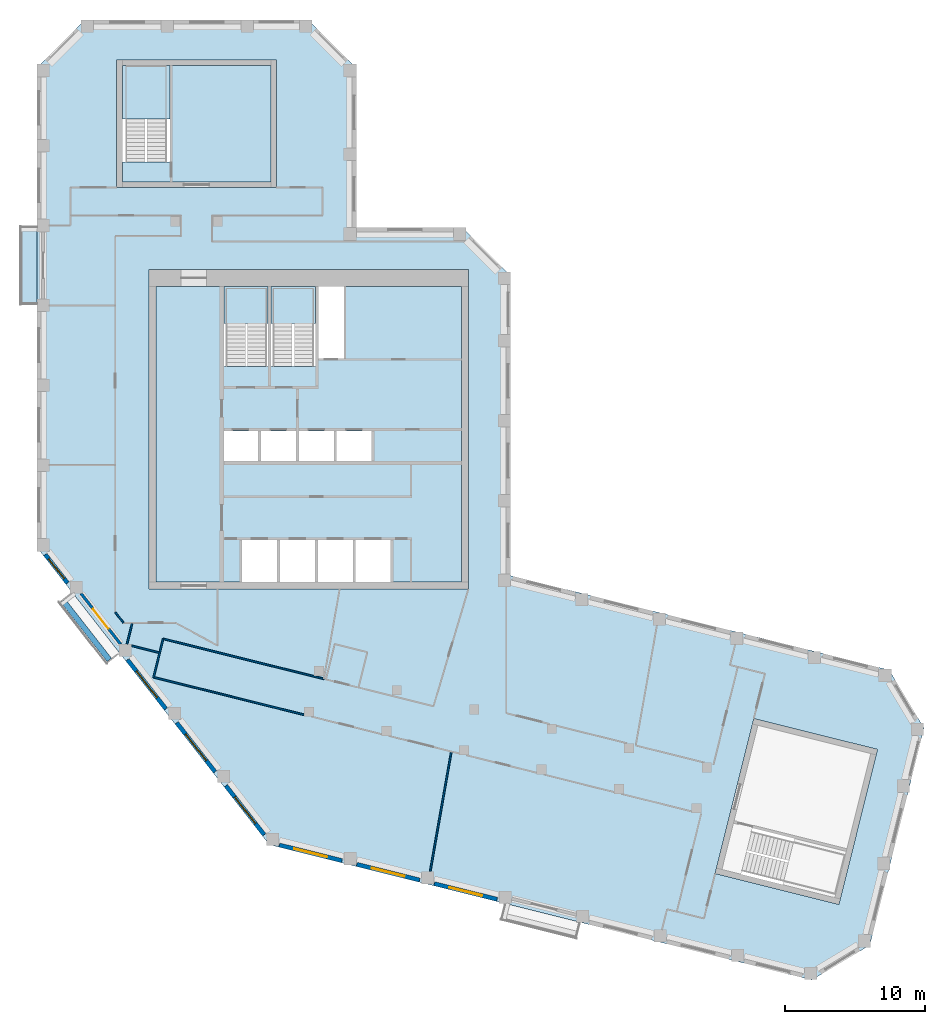
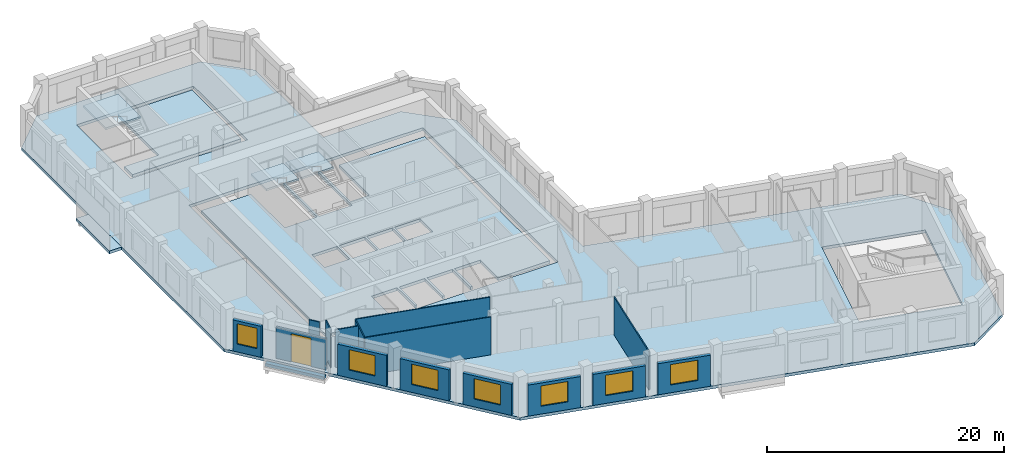
# One storey, part 2 of 8: 16 walls, 7 slabs, 7 windows, 1 door, 8 openings, 3 elements without a shape of their own.
"""IFC4 building model written with IfcOpenShell, lengths in metres."""

from ifc_helpers import new_model, si_unit, direction, frame, frame_2d, origin, place, context, subcontext, project, spatial, polyline, rectangle, outline, extrude, material, layer, layer_set, type_object, element, fill, aggregate, save


model = new_model("IFC4")

# Units and contexts
model_context = context("Model", 3, precision=1e-05, world=origin(), true_north=direction((0.0, 1.0)))
body_context = subcontext(model_context, "Body", "Model", "MODEL_VIEW")
ifc_project = project(units=[si_unit("LENGTHUNIT", "METRE"), si_unit("AREAUNIT", "SQUARE_METRE"), si_unit("VOLUMEUNIT", "CUBIC_METRE"), si_unit("PLANEANGLEUNIT", "RADIAN"), si_unit("MASSUNIT", "GRAM", prefix="KILO")], contexts=[model_context])

# Site, building, storey
site_placement = place(None, origin())
site = spatial("IfcSite", under=ifc_project, at=site_placement, CompositionType="ELEMENT")
building_placement = place(site_placement, origin())
building = spatial("IfcBuilding", under=site, at=building_placement, Name="Meshkara Civic Tower", CompositionType="ELEMENT")
storey_placement = place(building_placement, frame((0.0, 0.0, 379.199951171875)))
storey = spatial("IfcBuildingStorey", under=building, at=storey_placement, Name="L87", CompositionType="ELEMENT", Elevation=379.199951171875)

# Slabs
ifc_material_1 = material(Name="Concrete C40", Category="concrete")
ifc_layer_1 = layer(ifc_material_1, 0.300048828125)
ifc_layer_set_1 = layer_set([ifc_layer_1], Name="BALCONY SLAB")
slab_type_1 = type_object("IfcSlabType", Name="BALCONY SLAB", PredefinedType="FLOOR", material=ifc_layer_set_1)
slab_1_placement = place(storey_placement, frame((0.0, 0.0, -0.300048828125)))
element("IfcSlab", 1, at=slab_1_placement, inside=storey, type_object=slab_type_1, Name="Balcony slab", PredefinedType="FLOOR", context=body_context, shape_type="SweptSolid", body=[
    extrude(outline(polyline([(0.0, 34.804931640625), (0.0, 34.4150390625), (-1.199951171875, 34.4150390625), (-1.199951171875, 39.9951171875), (0.0, 39.9951171875), (0.0, 39.60498046875), (0.0, 34.804931640625)])), origin(), (0.0, 0.0, 1.0), 0.300048828125),
])
ifc_material_2 = material(Name="Concrete C40/50", Category="concrete")
ifc_layer_2 = layer(ifc_material_2, 0.300048828125)
ifc_layer_set_2 = layer_set([ifc_layer_2], Name="Core floor slab 300 C40/50")
slab_type_2 = type_object("IfcSlabType", Name="Core floor slab 300 C40/50", PredefinedType="FLOOR", material=ifc_layer_set_2)
slab_2_placement = place(storey_placement, frame((0.0, 0.0, -0.300048828125)))
element("IfcSlab", 2, at=slab_2_placement, inside=storey, type_object=slab_type_2, Name="Core floor K", PredefinedType="FLOOR", context=body_context, shape_type="SweptSolid", body=[
    extrude(outline(polyline([(8.5, 35.699951171875), (13.35009765625, 35.699951171875), (13.35009765625, 30.00146484375), (16.5, 30.00146484375), (16.5, 35.699951171875), (16.699951171875, 35.699951171875), (16.699951171875, 30.00146484375), (19.89990234375, 30.00146484375), (19.89990234375, 35.699951171875), (20.10009765625, 35.699951171875), (20.10009765625, 30.574951171875), (21.925048828125, 30.574951171875), (21.925048828125, 35.699951171875), (30.300048828125, 35.699951171875), (30.300048828125, 14.60009765625), (25.25, 14.60009765625), (25.25, 17.60009765625), (22.75, 17.60009765625), (22.75, 14.60009765625), (22.550048828125, 14.60009765625), (22.550048828125, 17.60009765625), (20.050048828125, 17.60009765625), (20.050048828125, 14.60009765625), (19.85009765625, 14.60009765625), (19.85009765625, 17.60009765625), (17.35009765625, 17.60009765625), (17.35009765625, 14.60009765625), (17.14990234375, 14.60009765625), (17.14990234375, 17.60009765625), (14.64990234375, 17.60009765625), (14.64990234375, 14.60009765625), (8.5, 14.60009765625), (8.5, 35.699951171875)]), holes=[polyline([(13.35009765625, 23.25), (15.800048828125, 23.25), (15.800048828125, 25.39990234375), (13.35009765625, 25.39990234375), (13.35009765625, 23.25)]), polyline([(18.5, 23.25), (18.5, 25.39990234375), (16.0, 25.39990234375), (16.0, 23.25), (18.5, 23.25)]), polyline([(18.699951171875, 23.25), (21.199951171875, 23.25), (21.199951171875, 25.39990234375), (18.699951171875, 25.39990234375), (18.699951171875, 23.25)]), polyline([(23.89990234375, 23.25), (23.89990234375, 25.39990234375), (21.39990234375, 25.39990234375), (21.39990234375, 23.25), (23.89990234375, 23.25)])]), origin(), (0.0, 0.0, 1.0), 0.300048828125),
])
slab_3_placement = place(storey_placement, frame((0.0, 0.0, -0.300048828125)))
element("IfcSlab", 3, at=slab_3_placement, inside=storey, type_object=slab_type_2, Name="Core floor EA", PredefinedType="FLOOR", context=body_context, shape_type="SweptSolid", body=[
    extrude(outline(polyline([(16.699951171875, 43.169921875), (16.699951171875, 51.469970703125), (9.5, 51.469970703125), (9.5, 44.571533203125), (6.10009765625, 44.571533203125), (6.10009765625, 43.169921875), (16.699951171875, 43.169921875)])), origin(), (0.0, 0.0, 1.0), 0.300048828125),
])

# Stair, slab
ifc_material_3 = material(Name="Precast concrete C40/50", Category="concrete")
stair_type = type_object("IfcStairType", Name="Exit stair half-turn 24 risers precast", PredefinedType="HALF_TURN_STAIR", material=ifc_material_3)
stair_1_placement = place(storey_placement, origin())
stair_1 = element("IfcStair", 4, at=stair_1_placement, inside=storey, type_object=stair_type, Name="L87 exit stair 1", PredefinedType="HALF_TURN_STAIR")
ifc_material_4 = material(Name="Precast concrete C40/50", Category="concrete")
ifc_layer_3 = layer(ifc_material_4, 0.199951171875)
ifc_layer_set_3 = layer_set([ifc_layer_3], Name="Exit stair landing 200")
slab_type_3 = type_object("IfcSlabType", Name="Exit stair landing 200", PredefinedType="LANDING", material=ifc_layer_set_3)
slab_4_placement = place(storey_placement, frame((0.0, 0.0, 1.900146484375)))
slab_4 = element("IfcSlab", 5, at=slab_4_placement, type_object=slab_type_3, Name="ST1 landing 1", PredefinedType="LANDING", context=body_context, shape_type="SweptSolid", body=[
    extrude(outline(polyline([(16.5, 33.07861328125), (16.5, 35.699951171875), (13.35009765625, 35.699951171875), (13.35009765625, 33.07861328125), (16.5, 33.07861328125)])), origin(), (0.0, 0.0, 1.0), 0.199951171875),
])
aggregate(stair_1, [slab_4])

stair_2_placement = place(storey_placement, origin())
stair_2 = element("IfcStair", 6, at=stair_2_placement, inside=storey, type_object=stair_type, Name="L87 exit stair 2", PredefinedType="HALF_TURN_STAIR")
slab_5_placement = place(storey_placement, frame((0.0, 0.0, 1.900146484375)))
slab_5 = element("IfcSlab", 7, at=slab_5_placement, type_object=slab_type_3, Name="ST2 landing 1", PredefinedType="LANDING", context=body_context, shape_type="SweptSolid", body=[
    extrude(outline(polyline([(19.89990234375, 33.07861328125), (19.89990234375, 35.699951171875), (16.699951171875, 35.699951171875), (16.699951171875, 33.07861328125), (19.89990234375, 33.07861328125)])), origin(), (0.0, 0.0, 1.0), 0.199951171875),
])
aggregate(stair_2, [slab_5])

stair_3_placement = place(storey_placement, origin())
stair_3 = element("IfcStair", 8, at=stair_3_placement, inside=storey, type_object=stair_type, Name="L87 exit stair A from L80", PredefinedType="HALF_TURN_STAIR")
slab_6_placement = place(storey_placement, frame((0.0, 0.0, 1.900146484375)))
slab_6 = element("IfcSlab", 9, at=slab_6_placement, type_object=slab_type_3, Name="ESA6 landing 1", PredefinedType="LANDING", context=body_context, shape_type="SweptSolid", body=[
    extrude(outline(polyline([(9.5, 47.6484375), (9.5, 51.469970703125), (6.10009765625, 51.469970703125), (6.10009765625, 47.6484375), (9.5, 47.6484375)])), origin(), (0.0, 0.0, 1.0), 0.199951171875),
])
aggregate(stair_3, [slab_6])

# Slab
ifc_material_5 = material(Name="Concrete C50", Category="concrete")
ifc_layer_4 = layer(ifc_material_5, 0.300048828125)
ifc_layer_set_4 = layer_set([ifc_layer_4], Name="Post-tensioned flat slab 300 C50")
slab_type_4 = type_object("IfcSlabType", Name="Post-tensioned flat slab 300 C50", PredefinedType="FLOOR", material=ifc_layer_set_4)
slab_7_placement = place(storey_placement, frame((0.0, 0.0, -0.300048828125)))
element("IfcSlab", 10, at=slab_7_placement, inside=storey, type_object=slab_type_4, Name="Post-tensioned flat slab L87", PredefinedType="FLOOR", context=body_context, shape_type="SweptSolid", body=[
    extrude(outline(polyline([(59.452880859375, -11.299072265625), (55.306884765625, -13.7900390625), (16.592041015625, -4.136962890625), (0.0, 17.10009765625), (0.0, 51.300048828125), (3.419921875, 54.719970703125), (19.3798828125, 54.719970703125), (22.800048828125, 51.300048828125), (22.800048828125, 39.89990234375), (30.3798828125, 39.89990234375), (33.800048828125, 36.47998046875), (33.800048828125, 15.071044921875), (60.822998046875, 8.3330078125), (63.31396484375, 4.18701171875), (59.452880859375, -11.299072265625)]), holes=[polyline([(57.239013671875, -8.39697265625), (59.9970703125, 2.6650390625), (51.1669921875, 4.865966796875), (48.408935546875, -6.195068359375), (57.239013671875, -8.39697265625)]), polyline([(8.0, 14.10009765625), (30.800048828125, 14.10009765625), (30.800048828125, 36.89990234375), (8.0, 36.89990234375), (8.0, 14.10009765625)]), polyline([(5.699951171875, 51.8701171875), (5.699951171875, 42.77001953125), (17.10009765625, 42.77001953125), (17.10009765625, 51.8701171875), (5.699951171875, 51.8701171875)])]), origin(), (0.0, 0.0, 1.0), 0.300048828125),
])

# Walls
ifc_material_6 = material(Name="Corridor wall 100")
ifc_layer_5 = layer(ifc_material_6, 0.10009765625)
ifc_layer_set_5 = layer_set([ifc_layer_5], Name="Corridor wall 100")
wall_type_1 = type_object("IfcWallType", Name="Corridor wall 100", PredefinedType="PARTITIONING", material=ifc_layer_set_5)
wall_1_placement = place(storey_placement, frame((5.60009765625, 12.449951171875, 0.0), z_axis=(0.0, 0.0, 1.0), x_axis=(0.615644041972, -0.788024373725, 0.0)))
element("IfcWall", 11, at=wall_1_placement, inside=storey, type_object=wall_type_1, Name="L87-W003", PredefinedType="PARTITIONING", context=body_context, shape_type="SweptSolid", body=[
    extrude(rectangle(XDim=0.95166015625, YDim=0.10009765625, at=frame_2d((0.475830078125, 0.0))), origin(), (0.0, 0.0, 1.0), 3.900146484375),
])
wall_2_placement = place(storey_placement, frame((8.333984375, 7.81494140625, 0.0), z_axis=(0.0, 0.0, 1.0), x_axis=(0.970312231044, -0.241855688968, 0.0)))
element("IfcWall", 12, at=wall_2_placement, inside=storey, type_object=wall_type_1, Name="L87-W007", PredefinedType="PARTITIONING", context=body_context, shape_type="SweptSolid", body=[
    extrude(rectangle(XDim=11.068603515625, YDim=0.10009765625, at=frame_2d((5.5341796875, 0.0))), origin(), (0.0, 0.0, 1.0), 3.900146484375),
])
wall_3_placement = place(storey_placement, frame((9.01708984375, 10.55810546875, 0.0), z_axis=(0.0, 0.0, 1.0), x_axis=(-0.241641419317, -0.970365613813, 0.0)))
element("IfcWall", 13, at=wall_3_placement, inside=storey, type_object=wall_type_1, Name="L87-W008", PredefinedType="PARTITIONING", context=body_context, shape_type="SweptSolid", body=[
    extrude(rectangle(XDim=2.826904296875, YDim=0.10009765625, at=frame_2d((1.41357421875, 0.0))), origin(), (0.0, 0.0, 1.0), 3.900146484375),
])
wall_4_placement = place(storey_placement, frame((20.48291015625, 7.698974609375, 0.0), z_axis=(0.0, 0.0, 1.0), x_axis=(-0.970288161847, 0.241952232846, 0.0)))
element("IfcWall", 14, at=wall_4_placement, inside=storey, type_object=wall_type_1, Name="L87-W018", PredefinedType="PARTITIONING", context=body_context, shape_type="SweptSolid", body=[
    extrude(rectangle(XDim=11.81689453125, YDim=0.10009765625, at=frame_2d((5.908447265625, 0.0))), origin(), (0.0, 0.0, 1.0), 3.900146484375),
])

# Wall, opening, window
ifc_material_7 = material(Name="Insulated infill panel with bronze anodised aluminium cladding", Category="aluminium")
ifc_layer_6 = layer(ifc_material_7, 0.300048828125)
ifc_layer_set_6 = layer_set([ifc_layer_6], Name="EXTERNAL INFILL WALL 300")
wall_type_2 = type_object("IfcWallType", Name="EXTERNAL INFILL WALL 300", PredefinedType="SOLIDWALL", material=ifc_layer_set_6)
wall_5_placement = place(storey_placement, frame((0.60205078125, 16.572998046875, 0.0), z_axis=(0.0, 0.0, 1.0), x_axis=(0.61568999437, -0.787988471256, 0.0)))
wall_5 = element("IfcWall", 15, at=wall_5_placement, inside=storey, type_object=wall_type_2, Name="External wall", PredefinedType="SOLIDWALL", context=body_context, shape_type="SweptSolid", body=[
    extrude(rectangle(XDim=2.577392578125, YDim=0.300048828125, at=frame_2d((1.28857421875, 0.0))), origin(), (0.0, 0.0, 1.0), 3.199951171875),
])
opening_1_placement = place(wall_5_placement, frame((0.387939453125, 0.0, 0.800048828125)))
opening_1 = element("IfcOpeningElement", 16, at=opening_1_placement, cuts=wall_5, Name="Opening W9", PredefinedType="OPENING", context=body_context, shape_type="SweptSolid", body=[
    extrude(rectangle(XDim=1.800048828125, YDim=2.10009765625, at=frame_2d((0.89990234375, 1.050048828125))), frame((0.0, 0.159912109375, 0.0), z_axis=(0.0, -1.0, 0.0), x_axis=(1.0, 0.0, 0.0)), (0.0, 0.0, 1.0), 0.320068359375),
])
ifc_material_8 = material(Name="Tinted double glazing", Category="glass")
window_type_1 = type_object("IfcWindowType", Name="WINDOW 1800x2100", PartitioningType="DOUBLE_PANEL_VERTICAL", PredefinedType="WINDOW", material=ifc_material_8)
window_1_placement = place(opening_1_placement, origin())
window_1 = element("IfcWindow", 17, at=window_1_placement, inside=storey, type_object=window_type_1, Name="Window", OverallHeight=2.10009765625, OverallWidth=1.800048828125, PartitioningType="DOUBLE_PANEL_VERTICAL", PredefinedType="WINDOW", context=body_context, shape_type="SweptSolid", body=[
    extrude(rectangle(XDim=1.800048828125, YDim=2.10009765625, at=frame_2d((0.89990234375, 1.050048828125))), frame((0.0, 0.030029296875, 0.0), z_axis=(0.0, -1.0, 0.0), x_axis=(1.0, 0.0, 0.0)), (0.0, 0.0, 1.0), 0.06005859375),
])
fill(opening_1, window_1)

wall_6_placement = place(storey_placement, frame((6.47607421875, 9.054931640625, 0.0), z_axis=(0.0, 0.0, 1.0), x_axis=(0.615649380255, -0.788020203162, 0.0)))
wall_6 = element("IfcWall", 18, at=wall_6_placement, inside=storey, type_object=wall_type_2, Name="External wall", PredefinedType="SOLIDWALL", context=body_context, shape_type="SweptSolid", body=[
    extrude(rectangle(XDim=4.4375, YDim=0.300048828125, at=frame_2d((2.21875, 0.0))), origin(), (0.0, 0.0, 1.0), 3.199951171875),
])
opening_2_placement = place(wall_6_placement, frame((1.01904296875, 0.0, 0.800048828125)))
opening_2 = element("IfcOpeningElement", 19, at=opening_2_placement, cuts=wall_6, Name="Opening W7", PredefinedType="OPENING", context=body_context, shape_type="SweptSolid", body=[
    extrude(rectangle(XDim=2.39990234375, YDim=2.10009765625, at=frame_2d((1.199951171875, 1.050048828125))), frame((0.0, 0.159912109375, 0.0), z_axis=(0.0, -1.0, 0.0), x_axis=(1.0, 0.0, 0.0)), (0.0, 0.0, 1.0), 0.320068359375),
])
ifc_material_9 = material(Name="Tinted double glazing", Category="glass")
window_type_2 = type_object("IfcWindowType", Name="WINDOW 2400x2100", PartitioningType="DOUBLE_PANEL_VERTICAL", PredefinedType="WINDOW", material=ifc_material_9)
window_2_placement = place(opening_2_placement, origin())
window_2 = element("IfcWindow", 20, at=window_2_placement, inside=storey, type_object=window_type_2, Name="Window", OverallHeight=2.10009765625, OverallWidth=2.39990234375, PartitioningType="DOUBLE_PANEL_VERTICAL", PredefinedType="WINDOW", context=body_context, shape_type="SweptSolid", body=[
    extrude(rectangle(XDim=2.39990234375, YDim=2.10009765625, at=frame_2d((1.199951171875, 1.050048828125))), frame((0.0, 0.030029296875, 0.0), z_axis=(0.0, -1.0, 0.0), x_axis=(1.0, 0.0, 0.0)), (0.0, 0.0, 1.0), 0.06005859375),
])
fill(opening_2, window_2)

wall_7_placement = place(storey_placement, frame((9.986083984375, 4.56298828125, 0.0), z_axis=(0.0, 0.0, 1.0), x_axis=(0.615592779411, -0.788064419915, 0.0)))
wall_7 = element("IfcWall", 21, at=wall_7_placement, inside=storey, type_object=wall_type_2, Name="External wall", PredefinedType="SOLIDWALL", context=body_context, shape_type="SweptSolid", body=[
    extrude(rectangle(XDim=4.436279296875, YDim=0.300048828125, at=frame_2d((2.21826171875, 0.0))), origin(), (0.0, 0.0, 1.0), 3.199951171875),
])
opening_3_placement = place(wall_7_placement, frame((1.01806640625, 0.0, 0.800048828125)))
opening_3 = element("IfcOpeningElement", 22, at=opening_3_placement, cuts=wall_7, Name="Opening W7", PredefinedType="OPENING", context=body_context, shape_type="SweptSolid", body=[
    extrude(rectangle(XDim=2.39990234375, YDim=2.10009765625, at=frame_2d((1.199951171875, 1.050048828125))), frame((0.0, 0.159912109375, 0.0), z_axis=(0.0, -1.0, 0.0), x_axis=(1.0, 0.0, 0.0)), (0.0, 0.0, 1.0), 0.320068359375),
])
window_3_placement = place(opening_3_placement, origin())
window_3 = element("IfcWindow", 23, at=window_3_placement, inside=storey, type_object=window_type_2, Name="Window", OverallHeight=2.10009765625, OverallWidth=2.39990234375, PartitioningType="DOUBLE_PANEL_VERTICAL", PredefinedType="WINDOW", context=body_context, shape_type="SweptSolid", body=[
    extrude(rectangle(XDim=2.39990234375, YDim=2.10009765625, at=frame_2d((1.199951171875, 1.050048828125))), frame((0.0, 0.030029296875, 0.0), z_axis=(0.0, -1.0, 0.0), x_axis=(1.0, 0.0, 0.0)), (0.0, 0.0, 1.0), 0.06005859375),
])
fill(opening_3, window_3)

wall_8_placement = place(storey_placement, frame((13.493896484375, 0.071044921875, 0.0), z_axis=(0.0, 0.0, 1.0), x_axis=(0.615763624226, -0.787930935476, 0.0)))
wall_8 = element("IfcWall", 24, at=wall_8_placement, inside=storey, type_object=wall_type_2, Name="External wall", PredefinedType="SOLIDWALL", context=body_context, shape_type="SweptSolid", body=[
    extrude(rectangle(XDim=4.43701171875, YDim=0.300048828125, at=frame_2d((2.218505859375, 0.0))), origin(), (0.0, 0.0, 1.0), 3.199951171875),
])
opening_4_placement = place(wall_8_placement, frame((1.01806640625, 0.0, 0.800048828125)))
opening_4 = element("IfcOpeningElement", 25, at=opening_4_placement, cuts=wall_8, Name="Opening W7", PredefinedType="OPENING", context=body_context, shape_type="SweptSolid", body=[
    extrude(rectangle(XDim=2.39990234375, YDim=2.10009765625, at=frame_2d((1.199951171875, 1.050048828125))), frame((0.0, 0.159912109375, 0.0), z_axis=(0.0, -1.0, 0.0), x_axis=(1.0, 0.0, 0.0)), (0.0, 0.0, 1.0), 0.320068359375),
])
window_4_placement = place(opening_4_placement, origin())
window_4 = element("IfcWindow", 26, at=window_4_placement, inside=storey, type_object=window_type_2, Name="Window", OverallHeight=2.10009765625, OverallWidth=2.39990234375, PartitioningType="DOUBLE_PANEL_VERTICAL", PredefinedType="WINDOW", context=body_context, shape_type="SweptSolid", body=[
    extrude(rectangle(XDim=2.39990234375, YDim=2.10009765625, at=frame_2d((1.199951171875, 1.050048828125))), frame((0.0, 0.030029296875, 0.0), z_axis=(0.0, -1.0, 0.0), x_axis=(1.0, 0.0, 0.0)), (0.0, 0.0, 1.0), 0.06005859375),
])
fill(opening_4, window_4)

wall_9_placement = place(storey_placement, frame((17.30810546875, -4.160888671875, 0.0), z_axis=(0.0, 0.0, 1.0), x_axis=(0.970294992984, -0.241924836652, 0.0)))
wall_9 = element("IfcWall", 27, at=wall_9_placement, inside=storey, type_object=wall_type_2, Name="External wall", PredefinedType="SOLIDWALL", context=body_context, shape_type="SweptSolid", body=[
    extrude(rectangle(XDim=4.60888671875, YDim=0.300048828125, at=frame_2d((2.304443359375, 0.0))), origin(), (0.0, 0.0, 1.0), 3.199951171875),
])
opening_5_placement = place(wall_9_placement, frame((1.10498046875, 0.0, 0.800048828125)))
opening_5 = element("IfcOpeningElement", 28, at=opening_5_placement, cuts=wall_9, Name="Opening W7", PredefinedType="OPENING", context=body_context, shape_type="SweptSolid", body=[
    extrude(rectangle(XDim=2.39990234375, YDim=2.10009765625, at=frame_2d((1.199951171875, 1.050048828125))), frame((0.0, 0.159912109375, 0.0), z_axis=(0.0, -1.0, 0.0), x_axis=(1.0, 0.0, 0.0)), (0.0, 0.0, 1.0), 0.320068359375),
])
window_5_placement = place(opening_5_placement, origin())
window_5 = element("IfcWindow", 29, at=window_5_placement, inside=storey, type_object=window_type_2, Name="Window", OverallHeight=2.10009765625, OverallWidth=2.39990234375, PartitioningType="DOUBLE_PANEL_VERTICAL", PredefinedType="WINDOW", context=body_context, shape_type="SweptSolid", body=[
    extrude(rectangle(XDim=2.39990234375, YDim=2.10009765625, at=frame_2d((1.199951171875, 1.050048828125))), frame((0.0, 0.030029296875, 0.0), z_axis=(0.0, -1.0, 0.0), x_axis=(1.0, 0.0, 0.0)), (0.0, 0.0, 1.0), 0.06005859375),
])
fill(opening_5, window_5)

wall_10_placement = place(storey_placement, frame((22.839111328125, -5.5400390625, 0.0), z_axis=(0.0, 0.0, 1.0), x_axis=(0.970282587769, -0.241974585177, 0.0)))
wall_10 = element("IfcWall", 30, at=wall_10_placement, inside=storey, type_object=wall_type_2, Name="External wall", PredefinedType="SOLIDWALL", context=body_context, shape_type="SweptSolid", body=[
    extrude(rectangle(XDim=4.60791015625, YDim=0.300048828125, at=frame_2d((2.303955078125, 0.0))), origin(), (0.0, 0.0, 1.0), 3.199951171875),
])
opening_6_placement = place(wall_10_placement, frame((1.10400390625, 0.0, 0.800048828125)))
opening_6 = element("IfcOpeningElement", 31, at=opening_6_placement, cuts=wall_10, Name="Opening W7", PredefinedType="OPENING", context=body_context, shape_type="SweptSolid", body=[
    extrude(rectangle(XDim=2.39990234375, YDim=2.10009765625, at=frame_2d((1.199951171875, 1.050048828125))), frame((0.0, 0.159912109375, 0.0), z_axis=(0.0, -1.0, 0.0), x_axis=(1.0, 0.0, 0.0)), (0.0, 0.0, 1.0), 0.320068359375),
])
window_6_placement = place(opening_6_placement, origin())
window_6 = element("IfcWindow", 32, at=window_6_placement, inside=storey, type_object=window_type_2, Name="Window", OverallHeight=2.10009765625, OverallWidth=2.39990234375, PartitioningType="DOUBLE_PANEL_VERTICAL", PredefinedType="WINDOW", context=body_context, shape_type="SweptSolid", body=[
    extrude(rectangle(XDim=2.39990234375, YDim=2.10009765625, at=frame_2d((1.199951171875, 1.050048828125))), frame((0.0, 0.030029296875, 0.0), z_axis=(0.0, -1.0, 0.0), x_axis=(1.0, 0.0, 0.0)), (0.0, 0.0, 1.0), 0.06005859375),
])
fill(opening_6, window_6)

wall_11_placement = place(storey_placement, frame((28.368896484375, -6.9189453125, 0.0), z_axis=(0.0, 0.0, 1.0), x_axis=(0.970298093093, -0.241912402618, 0.0)))
wall_11 = element("IfcWall", 33, at=wall_11_placement, inside=storey, type_object=wall_type_2, Name="External wall", PredefinedType="SOLIDWALL", context=body_context, shape_type="SweptSolid", body=[
    extrude(rectangle(XDim=4.609130859375, YDim=0.300048828125, at=frame_2d((2.3046875, 0.0))), origin(), (0.0, 0.0, 1.0), 3.199951171875),
])
opening_7_placement = place(wall_11_placement, frame((1.10498046875, 0.0, 0.800048828125)))
opening_7 = element("IfcOpeningElement", 34, at=opening_7_placement, cuts=wall_11, Name="Opening W7", PredefinedType="OPENING", context=body_context, shape_type="SweptSolid", body=[
    extrude(rectangle(XDim=2.39990234375, YDim=2.10009765625, at=frame_2d((1.199951171875, 1.050048828125))), frame((0.0, 0.159912109375, 0.0), z_axis=(0.0, -1.0, 0.0), x_axis=(1.0, 0.0, 0.0)), (0.0, 0.0, 1.0), 0.320068359375),
])
window_7_placement = place(opening_7_placement, origin())
window_7 = element("IfcWindow", 35, at=window_7_placement, inside=storey, type_object=window_type_2, Name="Window", OverallHeight=2.10009765625, OverallWidth=2.39990234375, PartitioningType="DOUBLE_PANEL_VERTICAL", PredefinedType="WINDOW", context=body_context, shape_type="SweptSolid", body=[
    extrude(rectangle(XDim=2.39990234375, YDim=2.10009765625, at=frame_2d((1.199951171875, 1.050048828125))), frame((0.0, 0.030029296875, 0.0), z_axis=(0.0, -1.0, 0.0), x_axis=(1.0, 0.0, 0.0)), (0.0, 0.0, 1.0), 0.06005859375),
])
fill(opening_7, window_7)

# Wall, opening, door
ifc_material_10 = material(Name="Insulated infill panel with bronze anodised aluminium cladding", Category="aluminium")
ifc_layer_7 = layer(ifc_material_10, 0.199951171875)
ifc_layer_set_7 = layer_set([ifc_layer_7], Name="LOGGIA BACK WALL 200")
wall_type_3 = type_object("IfcWallType", Name="LOGGIA BACK WALL 200", PredefinedType="SOLIDWALL", material=ifc_layer_set_7)
wall_12_placement = place(storey_placement, frame((3.166015625, 13.779052734375, 0.0), z_axis=(0.0, 0.0, 1.0), x_axis=(0.615593109271, -0.788064162247, 0.0)))
wall_12 = element("IfcWall", 36, at=wall_12_placement, inside=storey, type_object=wall_type_3, Name="Loggia wall", PredefinedType="SOLIDWALL", context=body_context, shape_type="SweptSolid", body=[
    extrude(rectangle(XDim=4.55810546875, YDim=0.199951171875, at=frame_2d((2.279052734375, 0.0))), origin(), (0.0, 0.0, 1.0), 3.199951171875),
])
opening_8_placement = place(wall_12_placement, frame((1.3779296875, 0.0, 0.0)))
opening_8 = element("IfcOpeningElement", 37, at=opening_8_placement, cuts=wall_12, Name="Opening L87-L002", PredefinedType="OPENING", context=body_context, shape_type="SweptSolid", body=[
    extrude(rectangle(XDim=1.800048828125, YDim=2.89990234375, at=frame_2d((0.89990234375, 1.449951171875))), frame((0.0, 0.10986328125, 0.0), z_axis=(0.0, -1.0, 0.0), x_axis=(1.0, 0.0, 0.0)), (0.0, 0.0, 1.0), 0.219970703125),
])
ifc_material_11 = material(Name="Tinted double glazing", Category="glass")
door_type = type_object("IfcDoorType", Name="LOGGIA DOOR 1800x2900", OperationType="DOUBLE_DOOR_SINGLE_SWING", PredefinedType="DOOR", material=ifc_material_11)
door_placement = place(opening_8_placement, origin())
door = element("IfcDoor", 38, at=door_placement, inside=storey, type_object=door_type, Name="L87-L002", OperationType="DOUBLE_DOOR_SINGLE_SWING", OverallHeight=2.89990234375, OverallWidth=1.800048828125, PredefinedType="DOOR", context=body_context, shape_type="SweptSolid", body=[
    extrude(rectangle(XDim=1.800048828125, YDim=2.89990234375, at=frame_2d((0.89990234375, 1.449951171875))), frame((0.0, 0.02490234375, 0.0), z_axis=(0.0, -1.0, 0.0), x_axis=(1.0, 0.0, 0.0)), (0.0, 0.0, 1.0), 0.050048828125),
])
fill(opening_8, door)

# Walls
ifc_material_12 = material(Name="Concrete C40", Category="concrete")
ifc_layer_8 = layer(ifc_material_12, 0.39990234375)
ifc_layer_set_8 = layer_set([ifc_layer_8], Name="PLANTER TRAY")
wall_type_4 = type_object("IfcWallType", Name="PLANTER TRAY", PredefinedType="SOLIDWALL", material=ifc_layer_set_8)
wall_13_placement = place(storey_placement, frame((1.87109375, 13.27587890625, 0.0), z_axis=(0.0, 0.0, 1.0), x_axis=(0.615632551218, -0.788033350741, 0.0)))
element("IfcWall", 39, at=wall_13_placement, inside=storey, type_object=wall_type_4, Name="Planter", PredefinedType="SOLIDWALL", context=body_context, shape_type="SweptSolid", body=[
    extrude(rectangle(XDim=5.360107421875, YDim=0.39990234375, at=frame_2d((2.68017578125, 0.0))), origin(), (0.0, 0.0, 1.0), 0.300048828125),
])
ifc_material_13 = material(Name="Partition 100")
ifc_layer_9 = layer(ifc_material_13, 0.10009765625)
ifc_layer_set_9 = layer_set([ifc_layer_9], Name="Partition 100")
wall_type_5 = type_object("IfcWallType", Name="Partition 100", PredefinedType="PARTITIONING", material=ifc_layer_set_9)
wall_14_placement = place(storey_placement, frame((6.797119140625, 11.637939453125, 0.0), z_axis=(0.0, 0.0, 1.0), x_axis=(-0.242113049408, -0.970248046278, 0.0)))
element("IfcWall", 40, at=wall_14_placement, inside=storey, type_object=wall_type_5, Name="L87-W040", PredefinedType="PARTITIONING", context=body_context, shape_type="SweptSolid", body=[
    extrude(rectangle(XDim=1.495361328125, YDim=0.10009765625, at=frame_2d((0.74755859375, 0.0))), origin(), (0.0, 0.0, 1.0), 3.900146484375),
])
wall_15_placement = place(storey_placement, frame((8.719970703125, 9.573974609375, 0.0), z_axis=(0.0, 0.0, 1.0), x_axis=(-0.970221168815, 0.24222073318, 0.0)))
element("IfcWall", 41, at=wall_15_placement, inside=storey, type_object=wall_type_5, Name="L87-W041", PredefinedType="PARTITIONING", context=body_context, shape_type="SweptSolid", body=[
    extrude(rectangle(XDim=2.0068359375, YDim=0.10009765625, at=frame_2d((1.00341796875, 0.0))), origin(), (0.0, 0.0, 1.0), 3.900146484375),
])
wall_16_placement = place(storey_placement, frame((28.073974609375, -6.0458984375, 0.0), z_axis=(0.0, 0.0, 1.0), x_axis=(0.173567767041, 0.98482192819, 0.0)))
element("IfcWall", 42, at=wall_16_placement, inside=storey, type_object=wall_type_5, Name="L87-W046", PredefinedType="PARTITIONING", context=body_context, shape_type="SweptSolid", body=[
    extrude(rectangle(XDim=8.64208984375, YDim=0.10009765625, at=frame_2d((4.321044921875, 0.0))), origin(), (0.0, 0.0, 1.0), 3.900146484375),
])

save(model, "model.ifc")
